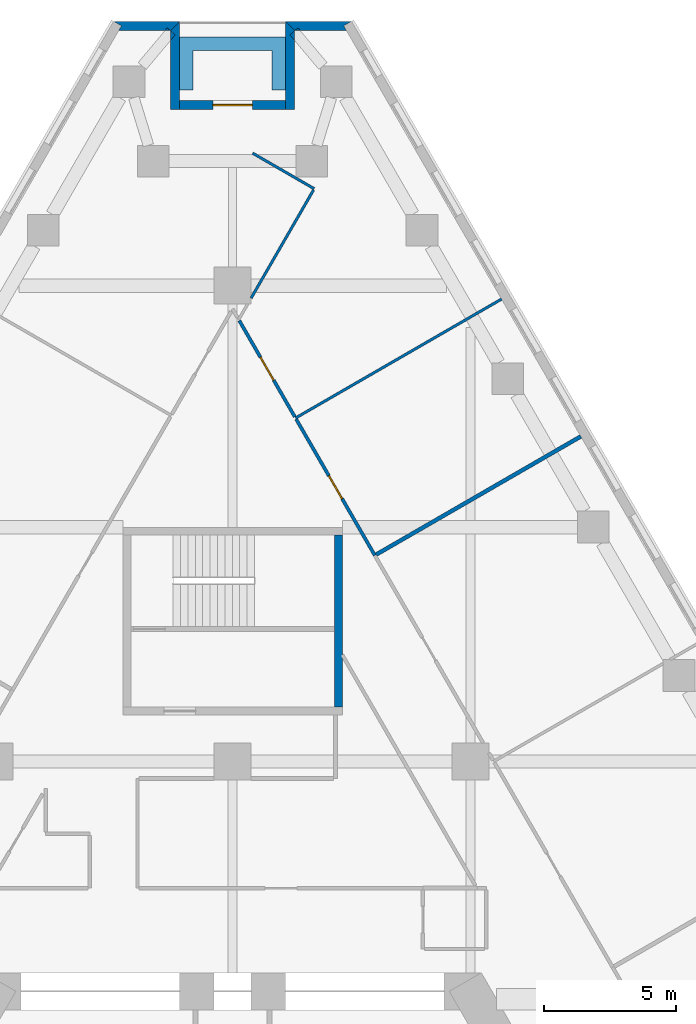
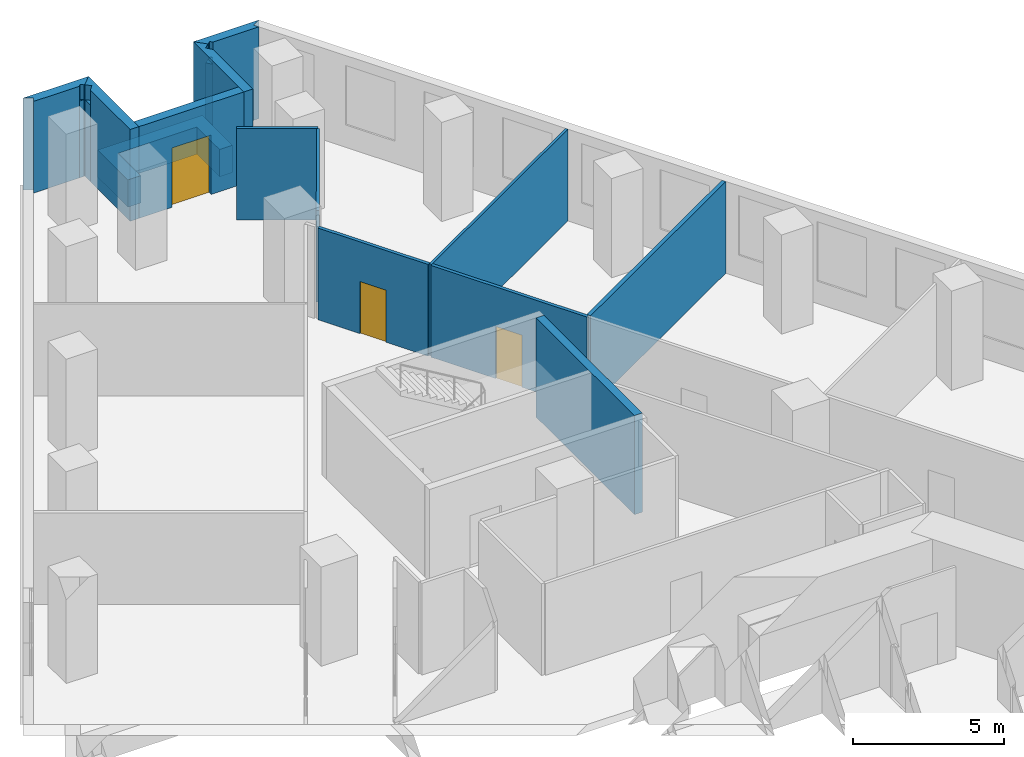
# One storey, part 9 of 11: 17 walls, 3 doors, 3 openings.
"""IFC4 building model written with IfcOpenShell, lengths in metres."""

from ifc_helpers import new_model, si_unit, direction, frame, frame_2d, origin, place, context, subcontext, project, spatial, polyline, rectangle, outline, extrude, material, layer, layer_set, type_object, element, fill, save


model = new_model("IFC4")

# Units and contexts
model_context = context("Model", 3, precision=1e-05, world=origin(), true_north=direction((0.0, 1.0)))
body_context = subcontext(model_context, "Body", "Model", "MODEL_VIEW")
ifc_project = project(units=[si_unit("LENGTHUNIT", "METRE"), si_unit("AREAUNIT", "SQUARE_METRE"), si_unit("VOLUMEUNIT", "CUBIC_METRE"), si_unit("PLANEANGLEUNIT", "RADIAN"), si_unit("MASSUNIT", "GRAM", prefix="KILO")], contexts=[model_context])

# Site, building, storey
site_placement = place(None, origin())
site = spatial("IfcSite", under=ifc_project, at=site_placement, CompositionType="ELEMENT")
building_placement = place(site_placement, origin())
building = spatial("IfcBuilding", under=site, at=building_placement, Name="Fogline Exchange Tower", CompositionType="ELEMENT")
storey_placement = place(building_placement, frame((0.0, 0.0, 52.89990234375)))
storey = spatial("IfcBuildingStorey", under=building, at=storey_placement, Name="L10", CompositionType="ELEMENT", Elevation=52.89990234375)

# Walls
ifc_material_1 = material(Name="Concrete C40", Category="concrete")
ifc_layer_1 = layer(ifc_material_1, 0.300048828125)
ifc_layer_set_1 = layer_set([ifc_layer_1], Name="CW30")
wall_type_1 = type_object("IfcWallType", Name="CW30", PredefinedType="SOLIDWALL", material=ifc_layer_set_1)
wall_1_placement = place(storey_placement, frame((4.0, 29.056884765625, -0.2998046875), z_axis=(0.0, 0.0, 1.0), x_axis=(0.0, 1.0, 0.0)))
element("IfcWall", 1, at=wall_1_placement, inside=storey, type_object=wall_type_1, Name="Stair enclosure wall ST3", PredefinedType="SOLIDWALL", context=body_context, shape_type="SweptSolid", body=[
    extrude(rectangle(XDim=6.5, YDim=0.300048828125, at=frame_2d((3.25, 0.0))), origin(), (0.0, 0.0, 1.0), 4.0),
])
ifc_material_2 = material(Name="Brick masonry", Category="masonry")
ifc_layer_2 = layer(ifc_material_2, 0.340087890625)
ifc_layer_set_2 = layer_set([ifc_layer_2], Name="FW1")
wall_type_2 = type_object("IfcWallType", Name="FW1", PredefinedType="SOLIDWALL", material=ifc_layer_set_2)
wall_2_placement = place(storey_placement, origin())
element("IfcWall", 2, at=wall_2_placement, inside=storey, type_object=wall_type_2, Name="Brick wall L10 N-c1", PredefinedType="SOLIDWALL", context=body_context, shape_type="SweptSolid", body=[
    extrude(outline(polyline([(2.372314453125, 54.6611328125), (2.474609375, 54.7470703125), (2.546875, 54.6611328125), (2.372314453125, 54.6611328125)])), origin(), (0.0, 0.0, 1.0), 3.10009765625),
])
wall_3_placement = place(storey_placement, origin())
element("IfcWall", 3, at=wall_3_placement, inside=storey, type_object=wall_type_2, Name="Brick wall L10 N-c1", PredefinedType="SOLIDWALL", context=body_context, shape_type="SweptSolid", body=[
    extrude(outline(polyline([(4.5009765625, 55.002197265625), (4.501220703125, 55.001708984375), (4.206298828125, 54.83154296875), (4.3046875, 54.6611328125), (2.546875, 54.6611328125), (2.474609375, 54.7470703125), (2.372314453125, 54.6611328125), (2.33984375, 54.6611328125), (1.998779296875, 55.001953125), (1.9990234375, 55.002197265625), (4.5009765625, 55.002197265625)])), origin(), (0.0, 0.0, 1.0), 3.7001953125),
])
wall_4_placement = place(storey_placement, origin())
element("IfcWall", 4, at=wall_4_placement, inside=storey, type_object=wall_type_2, Name="Brick wall L10 N-s1", PredefinedType="SOLIDWALL", context=body_context, shape_type="SweptSolid", body=[
    extrude(outline(polyline([(2.340576171875, 54.28466796875), (2.16845703125, 54.48974609375), (2.340576171875, 54.634521484375), (2.340576171875, 54.28466796875)])), origin(), (0.0, 0.0, 1.0), 3.10009765625),
])
wall_5_placement = place(storey_placement, origin())
element("IfcWall", 5, at=wall_5_placement, inside=storey, type_object=wall_type_2, Name="Brick wall L10 N-s1", PredefinedType="SOLIDWALL", context=body_context, shape_type="SweptSolid", body=[
    extrude(outline(polyline([(1.99951171875, 51.6611328125), (1.99951171875, 55.002685546875), (1.999755859375, 55.0029296875), (2.340576171875, 54.661865234375), (2.340576171875, 54.634521484375), (2.16845703125, 54.48974609375), (2.340576171875, 54.28466796875), (2.340576171875, 51.6611328125), (1.99951171875, 51.6611328125)])), origin(), (0.0, 0.0, 1.0), 3.7001953125),
])

# Wall, opening, door
wall_6_placement = place(storey_placement, frame((2.0, 51.83154296875, 0.0), z_axis=(0.0, 0.0, 1.0), x_axis=(-1.0, 0.0, 0.0)))
wall_6 = element("IfcWall", 6, at=wall_6_placement, inside=storey, type_object=wall_type_2, Name="Brick wall L10 N-bk", PredefinedType="SOLIDWALL", context=body_context, shape_type="SweptSolid", body=[
    extrude(rectangle(XDim=4.0, YDim=0.340087890625, at=frame_2d((2.0, 0.0))), origin(), (0.0, 0.0, 1.0), 3.7001953125),
])
opening_1_placement = place(wall_6_placement, frame((1.25, 0.0, 0.0)))
opening_1 = element("IfcOpeningElement", 7, at=opening_1_placement, cuts=wall_6, Name="Opening T03-E141", PredefinedType="OPENING", context=body_context, shape_type="SweptSolid", body=[
    extrude(rectangle(XDim=1.5, YDim=2.39990234375, at=frame_2d((0.75, 1.199951171875))), frame((0.0, 0.18017578125, 0.0), z_axis=(0.0, -1.0, 0.0), x_axis=(1.0, 0.0, 0.0)), (0.0, 0.0, 1.0), 0.360107421875),
])
ifc_material_3 = material(Name="Aluminium and glass", Category="aluminium")
door_type_1 = type_object("IfcDoorType", Name="ED4", OperationType="SINGLE_SWING_LEFT", PredefinedType="DOOR", material=ifc_material_3)
door_1_placement = place(opening_1_placement, frame((1.5, 0.0, 0.0), z_axis=(0.0, 0.0, 1.0), x_axis=(-1.0, 0.0, 0.0)))
door_1 = element("IfcDoor", 8, at=door_1_placement, inside=storey, type_object=door_type_1, Name="Balcony door L10 N", OperationType="DOUBLE_DOOR_SINGLE_SWING", OverallHeight=2.39990234375, OverallWidth=1.5, PredefinedType="DOOR", context=body_context, shape_type="SweptSolid", body=[
    extrude(rectangle(XDim=1.5, YDim=2.39990234375, at=frame_2d((0.75, 1.199951171875))), frame((0.0, 0.02490234375, 0.0), z_axis=(0.0, -1.0, 0.0), x_axis=(1.0, 0.0, 0.0)), (0.0, 0.0, 1.0), 0.050048828125),
])
fill(opening_1, door_1)

# Walls
wall_7_placement = place(storey_placement, origin())
element("IfcWall", 9, at=wall_7_placement, inside=storey, type_object=wall_type_2, Name="Brick wall L10 N-s2", PredefinedType="SOLIDWALL", context=body_context, shape_type="SweptSolid", body=[
    extrude(outline(polyline([(-2.340576171875, 54.63330078125), (-2.169921875, 54.489990234375), (-2.340576171875, 54.28662109375), (-2.340576171875, 54.63330078125)])), origin(), (0.0, 0.0, 1.0), 3.10009765625),
])
wall_8_placement = place(storey_placement, origin())
element("IfcWall", 10, at=wall_8_placement, inside=storey, type_object=wall_type_2, Name="Brick wall L10 N-s2", PredefinedType="SOLIDWALL", context=body_context, shape_type="SweptSolid", body=[
    extrude(outline(polyline([(-1.99951171875, 51.6611328125), (-2.340576171875, 51.6611328125), (-2.340576171875, 54.28662109375), (-2.169921875, 54.489990234375), (-2.340576171875, 54.63330078125), (-2.340576171875, 54.661865234375), (-1.999755859375, 55.0029296875), (-1.99951171875, 55.002685546875), (-1.99951171875, 51.6611328125)])), origin(), (0.0, 0.0, 1.0), 3.7001953125),
])
wall_9_placement = place(storey_placement, origin())
element("IfcWall", 11, at=wall_9_placement, inside=storey, type_object=wall_type_2, Name="Brick wall L10 N-c2", PredefinedType="SOLIDWALL", context=body_context, shape_type="SweptSolid", body=[
    extrude(outline(polyline([(-2.548583984375, 54.6611328125), (-2.476318359375, 54.7470703125), (-2.373779296875, 54.6611328125), (-2.548583984375, 54.6611328125)])), origin(), (0.0, 0.0, 1.0), 3.10009765625),
])
wall_10_placement = place(storey_placement, origin())
element("IfcWall", 12, at=wall_10_placement, inside=storey, type_object=wall_type_2, Name="Brick wall L10 N-c2", PredefinedType="SOLIDWALL", context=body_context, shape_type="SweptSolid", body=[
    extrude(outline(polyline([(-4.206298828125, 54.83154296875), (-4.501220703125, 55.001708984375), (-4.5009765625, 55.002197265625), (-1.9990234375, 55.002197265625), (-1.998779296875, 55.001953125), (-2.33984375, 54.6611328125), (-2.373779296875, 54.6611328125), (-2.476318359375, 54.7470703125), (-2.548583984375, 54.6611328125), (-4.3046875, 54.6611328125), (-4.206298828125, 54.83154296875)])), origin(), (0.0, 0.0, 1.0), 3.7001953125),
])
ifc_material_4 = material(Name="Concrete C30", Category="concrete")
ifc_layer_3 = layer(ifc_material_4, 0.199951171875)
ifc_layer_set_3 = layer_set([ifc_layer_3], Name="PL1")
wall_type_3 = type_object("IfcWallType", Name="PL1", PredefinedType="USERDEFINED", material=ifc_layer_set_3)
wall_11_placement = place(storey_placement, origin())
element("IfcWall", 13, at=wall_11_placement, inside=storey, type_object=wall_type_3, Name="PLANTER balcony L10 N", ObjectType="PLANTER", PredefinedType="USERDEFINED", context=body_context, shape_type="SweptSolid", body=[
    extrude(outline(polyline([(-1.5, 54.401611328125), (-2.0, 54.401611328125), (-2.0, 53.901611328125), (-2.0, 52.401611328125), (-1.5, 52.401611328125), (-1.5, 53.901611328125), (1.5, 53.901611328125), (1.5, 52.401611328125), (2.0, 52.401611328125), (2.0, 53.901611328125), (2.0, 54.401611328125), (1.5, 54.401611328125), (-1.5, 54.401611328125)])), origin(), (0.0, 0.0, 1.0), 1.10009765625),
])
ifc_material_5 = material(Name="Plasterboard partition, 2 layers each side on steel studs", Category="steel")
ifc_layer_4 = layer(ifc_material_5, 0.10009765625)
ifc_layer_set_4 = layer_set([ifc_layer_4], Name="PW1")
wall_type_4 = type_object("IfcWallType", Name="PW1", PredefinedType="PARTITIONING", material=ifc_layer_set_4)
wall_12_placement = place(storey_placement, frame((2.381591796875, 39.990966796875, 0.0), z_axis=(0.0, 0.0, 1.0), x_axis=(0.866024315419, 0.5000018851, 0.0)))
element("IfcWall", 14, at=wall_12_placement, inside=storey, type_object=wall_type_4, Name="wall-L10-W044", PredefinedType="PARTITIONING", context=body_context, shape_type="SweptSolid", body=[
    extrude(rectangle(XDim=9.0, YDim=0.10009765625, at=frame_2d((4.5, 0.0))), origin(), (0.0, 0.0, 1.0), 3.7001953125),
])
wall_13_placement = place(storey_placement, frame((0.699951171875, 44.5283203125, 0.0), z_axis=(0.0, 0.0, 1.0), x_axis=(0.500020389875, 0.866013631365, 0.0)))
element("IfcWall", 15, at=wall_13_placement, inside=storey, type_object=wall_type_4, Name="wall-L10-W046", PredefinedType="PARTITIONING", context=body_context, shape_type="SweptSolid", body=[
    extrude(rectangle(XDim=4.728759765625, YDim=0.10009765625, at=frame_2d((2.3642578125, 0.0))), origin(), (0.0, 0.0, 1.0), 3.7001953125),
])
wall_14_placement = place(storey_placement, frame((3.08935546875, 48.666748046875, 0.0), z_axis=(0.0, 0.0, 1.0), x_axis=(-0.866005709019, 0.500034110783, 0.0)))
element("IfcWall", 16, at=wall_14_placement, inside=storey, type_object=wall_type_4, Name="wall-L10-W047", PredefinedType="PARTITIONING", context=body_context, shape_type="SweptSolid", body=[
    extrude(rectangle(XDim=2.689697265625, YDim=0.10009765625, at=frame_2d((1.3447265625, 0.0))), origin(), (0.0, 0.0, 1.0), 3.7001953125),
])

# Wall, opening, door
ifc_material_6 = material(Name="Plasterboard corridor partition with mineral wool, 2 layers each side")
ifc_layer_5 = layer(ifc_material_6, 0.125)
ifc_layer_set_5 = layer_set([ifc_layer_5], Name="PW2")
wall_type_5 = type_object("IfcWallType", Name="PW2", PredefinedType="PARTITIONING", material=ifc_layer_set_5)
wall_15_placement = place(storey_placement, frame((2.40673828125, 39.947265625, 0.0), z_axis=(0.0, 0.0, 1.0), x_axis=(0.500018463402, -0.866014743672, 0.0)))
wall_15 = element("IfcWall", 17, at=wall_15_placement, inside=storey, type_object=wall_type_5, Name="wall-L10-W015", PredefinedType="PARTITIONING", context=body_context, shape_type="SweptSolid", body=[
    extrude(rectangle(XDim=5.949462890625, YDim=0.125, at=frame_2d((2.974609375, 0.0))), origin(), (0.0, 0.0, 1.0), 3.7001953125),
])
opening_2_placement = place(wall_15_placement, frame((2.474609375, 0.0, 0.0)))
opening_2 = element("IfcOpeningElement", 18, at=opening_2_placement, cuts=wall_15, Name="Opening T03-D007", PredefinedType="OPENING", context=body_context, shape_type="SweptSolid", body=[
    extrude(rectangle(XDim=1.0, YDim=2.10009765625, at=frame_2d((0.5, 1.050048828125))), frame((0.0, 0.072509765625, 0.0), z_axis=(0.0, -1.0, 0.0), x_axis=(1.0, 0.0, 0.0)), (0.0, 0.0, 1.0), 0.14501953125),
])
ifc_material_7 = material(Name="Fire-rated timber door leaf with steel frame", Category="steel")
door_type_2 = type_object("IfcDoorType", Name="D3", OperationType="SINGLE_SWING_LEFT", PredefinedType="DOOR", material=ifc_material_7)
door_2_placement = place(opening_2_placement, origin())
door_2 = element("IfcDoor", 19, at=door_2_placement, inside=storey, type_object=door_type_2, Name="door-L10-D007", OperationType="SINGLE_SWING_LEFT", OverallHeight=2.10009765625, OverallWidth=1.0, PredefinedType="DOOR", context=body_context, shape_type="SweptSolid", body=[
    extrude(rectangle(XDim=1.0, YDim=2.10009765625, at=frame_2d((0.5, 1.050048828125))), frame((0.0, 0.02490234375, 0.0), z_axis=(0.0, -1.0, 0.0), x_axis=(1.0, 0.0, 0.0)), (0.0, 0.0, 1.0), 0.050048828125),
])
fill(opening_2, door_2)

wall_16_placement = place(storey_placement, frame((0.252685546875, 43.677978515625, 0.0), z_axis=(0.0, 0.0, 1.0), x_axis=(0.50000878899, -0.866020329399, 0.0)))
wall_16 = element("IfcWall", 20, at=wall_16_placement, inside=storey, type_object=wall_type_5, Name="wall-L10-W016", PredefinedType="PARTITIONING", context=body_context, shape_type="SweptSolid", body=[
    extrude(rectangle(XDim=4.20703125, YDim=0.125, at=frame_2d((2.103515625, 0.0))), origin(), (0.0, 0.0, 1.0), 3.7001953125),
])
opening_3_placement = place(wall_16_placement, frame((1.603515625, 0.0, 0.0)))
opening_3 = element("IfcOpeningElement", 21, at=opening_3_placement, cuts=wall_16, Name="Opening T03-D008", PredefinedType="OPENING", context=body_context, shape_type="SweptSolid", body=[
    extrude(rectangle(XDim=1.0, YDim=2.10009765625, at=frame_2d((0.5, 1.050048828125))), frame((0.0, 0.072509765625, 0.0), z_axis=(0.0, -1.0, 0.0), x_axis=(1.0, 0.0, 0.0)), (0.0, 0.0, 1.0), 0.14501953125),
])
door_3_placement = place(opening_3_placement, origin())
door_3 = element("IfcDoor", 22, at=door_3_placement, inside=storey, type_object=door_type_2, Name="door-L10-D008", OperationType="SINGLE_SWING_LEFT", OverallHeight=2.10009765625, OverallWidth=1.0, PredefinedType="DOOR", context=body_context, shape_type="SweptSolid", body=[
    extrude(rectangle(XDim=1.0, YDim=2.10009765625, at=frame_2d((0.5, 1.050048828125))), frame((0.0, 0.02490234375, 0.0), z_axis=(0.0, -1.0, 0.0), x_axis=(1.0, 0.0, 0.0)), (0.0, 0.0, 1.0), 0.050048828125),
])
fill(opening_3, door_3)

# Wall
ifc_material_8 = material(Name="Plasterboard demising partition with mineral wool and acoustic board")
ifc_layer_6 = layer(ifc_material_8, 0.14990234375)
ifc_layer_set_6 = layer_set([ifc_layer_6], Name="PW3")
wall_type_6 = type_object("IfcWallType", Name="PW3", PredefinedType="PARTITIONING", material=ifc_layer_set_6)
wall_17_placement = place(storey_placement, frame((5.435546875, 34.826171875, 0.0), z_axis=(0.0, 0.0, 1.0), x_axis=(0.866029105215, 0.49999358888, 0.0)))
element("IfcWall", 23, at=wall_17_placement, inside=storey, type_object=wall_type_6, Name="wall-L10-W043", PredefinedType="PARTITIONING", context=body_context, shape_type="SweptSolid", body=[
    extrude(rectangle(XDim=8.9375, YDim=0.14990234375, at=frame_2d((4.46875, 0.0))), origin(), (0.0, 0.0, 1.0), 3.7001953125),
])

save(model, "model.ifc")
